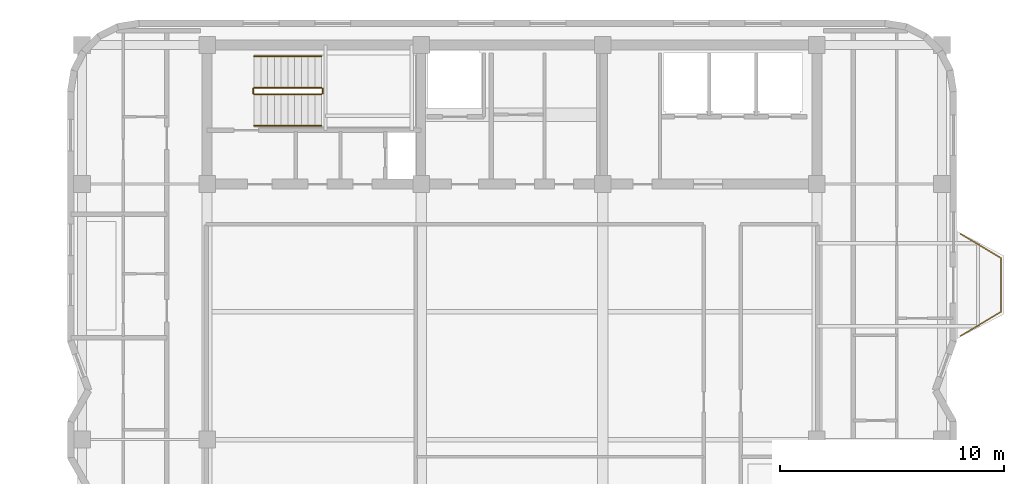
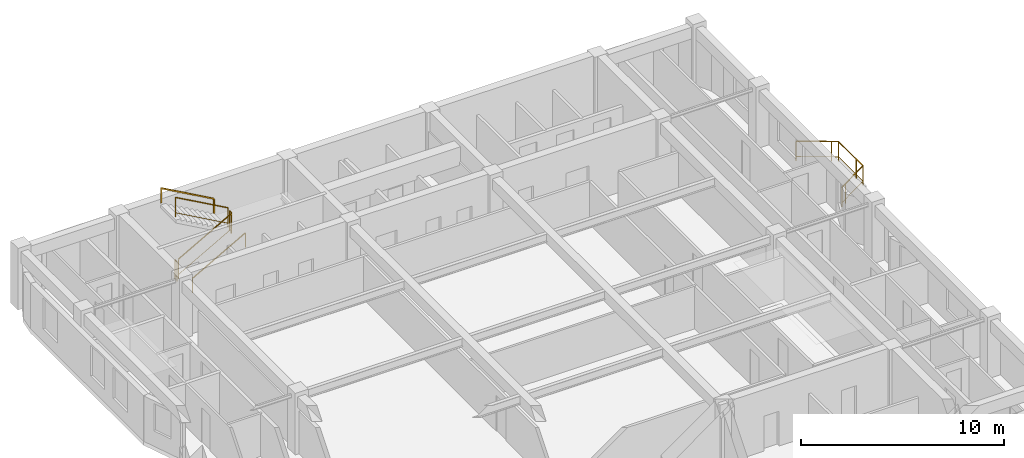
# One storey, part 9 of 9: 7 railings.
"""IFC4 building model written with IfcOpenShell, lengths in metres."""

from ifc_helpers import new_model, si_unit, direction, frame, origin, origin_2d, place, context, subcontext, project, spatial, rectangle, extrude, material, type_object, element, save


model = new_model("IFC4")

# Units and contexts
model_context = context("Model", 3, precision=1e-05, world=origin(), true_north=direction((0.0, 1.0)))
body_context = subcontext(model_context, "Body", "Model", "MODEL_VIEW")
ifc_project = project(units=[si_unit("LENGTHUNIT", "METRE"), si_unit("AREAUNIT", "SQUARE_METRE"), si_unit("VOLUMEUNIT", "CUBIC_METRE"), si_unit("PLANEANGLEUNIT", "RADIAN"), si_unit("MASSUNIT", "GRAM", prefix="KILO")], contexts=[model_context])

# Site, building, storey
site_placement = place(None, origin())
site = spatial("IfcSite", under=ifc_project, at=site_placement, CompositionType="ELEMENT")
building_placement = place(site_placement, origin())
building = spatial("IfcBuilding", under=site, at=building_placement, Name="Svetorya Sky Lyceum", CompositionType="ELEMENT")
storey_placement = place(building_placement, frame((0.0, 0.0, 271.300048828125)))
storey = spatial("IfcBuildingStorey", under=building, at=storey_placement, Name="L68", CompositionType="ELEMENT", Elevation=271.300048828125)

# Railings
ifc_material_1 = material(Name="Laminated safety glass and stainless AISI 316", Category="glass")
railing_type_1 = type_object("IfcRailingType", Name="RL-BAL-1200", PredefinedType="BALUSTRADE", material=ifc_material_1)
railing_1_placement = place(storey_placement, frame((59.2099609375, 37.3798828125, 0.0)))
element("IfcRailing", 1, at=railing_1_placement, inside=storey, type_object=railing_type_1, Name="L68 Balcony Balustrade BAL-E1", PredefinedType="BALUSTRADE", context=body_context, shape_type="SweptSolid", body=[
    extrude(rectangle(XDim=0.048095703125, YDim=0.048095703125, at=origin_2d()), frame((0.0, 0.0, 1.17578125), z_axis=(0.85753397263, -0.514427337711, 0.0), x_axis=(0.514427337711, 0.85753397263, 0.0)), (0.0, 0.0, 1.0), 2.09912109375),
    extrude(rectangle(XDim=0.02392578125, YDim=0.02392578125, at=origin_2d()), frame((0.0, 0.0, 0.25), z_axis=(0.85753397263, -0.514427337711, 0.0), x_axis=(0.514427337711, 0.85753397263, 0.0)), (0.0, 0.0, 1.0), 2.09912109375),
    extrude(rectangle(XDim=0.048095703125, YDim=0.048095703125, at=origin_2d()), frame((1.800048828125, -1.079833984375, 1.17578125), z_axis=(0.0, -1.0, 0.0), x_axis=(1.0, 0.0, 0.0)), (0.0, 0.0, 1.0), 2.400146484375),
    extrude(rectangle(XDim=0.02392578125, YDim=0.02392578125, at=origin_2d()), frame((1.800048828125, -1.079833984375, 0.25), z_axis=(0.0, -1.0, 0.0), x_axis=(1.0, 0.0, 0.0)), (0.0, 0.0, 1.0), 2.400146484375),
    extrude(rectangle(XDim=0.048095703125, YDim=0.048095703125, at=origin_2d()), frame((1.800048828125, -3.47998046875, 1.17578125), z_axis=(-0.85753397263, -0.514427337711, 0.0), x_axis=(0.514427337711, -0.85753397263, 0.0)), (0.0, 0.0, 1.0), 2.09912109375),
    extrude(rectangle(XDim=0.02392578125, YDim=0.02392578125, at=origin_2d()), frame((1.800048828125, -3.47998046875, 0.25), z_axis=(-0.85753397263, -0.514427337711, 0.0), x_axis=(0.514427337711, -0.85753397263, 0.0)), (0.0, 0.0, 1.0), 2.09912109375),
    extrude(rectangle(XDim=0.0419921875, YDim=0.0419921875, at=origin_2d()), origin(), (0.0, 0.0, 1.0), 1.15185546875),
    extrude(rectangle(XDim=0.0419921875, YDim=0.0419921875, at=origin_2d()), frame((1.500732421875, -0.900146484375, 0.0)), (0.0, 0.0, 1.0), 1.15185546875),
    extrude(rectangle(XDim=0.0419921875, YDim=0.0419921875, at=origin_2d()), frame((1.800048828125, -1.079833984375, 0.0)), (0.0, 0.0, 1.0), 1.15185546875),
    extrude(rectangle(XDim=0.0419921875, YDim=0.0419921875, at=origin_2d()), frame((1.800048828125, -2.829833984375, 0.0)), (0.0, 0.0, 1.0), 1.15185546875),
    extrude(rectangle(XDim=0.0419921875, YDim=0.0419921875, at=origin_2d()), frame((1.800048828125, -3.47998046875, 0.0)), (0.0, 0.0, 1.0), 1.15185546875),
    extrude(rectangle(XDim=0.0419921875, YDim=0.0419921875, at=origin_2d()), frame((0.29931640625, -4.380126953125, 0.0)), (0.0, 0.0, 1.0), 1.15185546875),
    extrude(rectangle(XDim=0.0419921875, YDim=0.0419921875, at=origin_2d()), frame((0.0, -4.559814453125, 0.0)), (0.0, 0.0, 1.0), 1.15185546875),
])
ifc_material_2 = material(Name="Painted galvanized stair well guard")
railing_type_2 = type_object("IfcRailingType", Name="RL-STR-GUARD-1200", PredefinedType="GUARDRAIL", material=ifc_material_2)
railing_2_placement = place(storey_placement, frame((27.699951171875, 43.60009765625, 0.168212890625)))
element("IfcRailing", 2, at=railing_2_placement, inside=storey, type_object=railing_type_2, Name="L68 ST-N stair guard 1", PredefinedType="GUARDRAIL", context=body_context, shape_type="SweptSolid", body=[
    extrude(rectangle(XDim=0.048095703125, YDim=0.048095703125, at=origin_2d()), frame((0.0, 0.0, 1.17578125), z_axis=(0.872302573547, 0.0, 0.488966481656), x_axis=(0.0, 1.0, 0.0)), (0.0, 0.0, 1.0), 3.439208984375),
    extrude(rectangle(XDim=0.02392578125, YDim=0.02392578125, at=origin_2d()), frame((0.0, 0.0, 0.25), z_axis=(0.872302573547, 0.0, 0.488966481656), x_axis=(0.0, 1.0, 0.0)), (0.0, 0.0, 1.0), 3.439208984375),
    extrude(rectangle(XDim=0.0419921875, YDim=0.0419921875, at=origin_2d()), origin(), (0.0, 0.0, 1.0), 1.15185546875),
    extrude(rectangle(XDim=0.0419921875, YDim=0.0419921875, at=origin_2d()), frame((3.0, 0.0, 1.681640625)), (0.0, 0.0, 1.0), 1.15185546875),
])
railing_3_placement = place(storey_placement, frame((30.75, 43.64990234375, 1.849853515625)))
element("IfcRailing", 3, at=railing_3_placement, inside=storey, type_object=railing_type_2, Name="L68 ST-N stair guard 2", PredefinedType="GUARDRAIL", context=body_context, shape_type="SweptSolid", body=[
    extrude(rectangle(XDim=0.048095703125, YDim=0.048095703125, at=origin_2d()), frame((0.0, 0.0, 1.17578125), z_axis=(0.0, 1.0, 0.0), x_axis=(-1.0, 0.0, 0.0)), (0.0, 0.0, 1.0), 0.2001953125),
    extrude(rectangle(XDim=0.02392578125, YDim=0.02392578125, at=origin_2d()), frame((0.0, 0.0, 0.25), z_axis=(0.0, 1.0, 0.0), x_axis=(-1.0, 0.0, 0.0)), (0.0, 0.0, 1.0), 0.2001953125),
    extrude(rectangle(XDim=0.0419921875, YDim=0.0419921875, at=origin_2d()), origin(), (0.0, 0.0, 1.0), 1.15185546875),
    extrude(rectangle(XDim=0.0419921875, YDim=0.0419921875, at=origin_2d()), frame((0.0, 0.2001953125, 0.0)), (0.0, 0.0, 1.0), 1.15185546875),
])
railing_4_placement = place(storey_placement, frame((30.699951171875, 43.89990234375, 2.01806640625)))
element("IfcRailing", 4, at=railing_4_placement, inside=storey, type_object=railing_type_2, Name="L68 ST-N stair guard 3", PredefinedType="GUARDRAIL", context=body_context, shape_type="SweptSolid", body=[
    extrude(rectangle(XDim=0.048095703125, YDim=0.048095703125, at=origin_2d()), frame((0.0, 0.0, 1.17578125), z_axis=(-0.872272294576, 0.0, 0.489020494575), x_axis=(0.0, -1.0, 0.0)), (0.0, 0.0, 1.0), 3.439208984375),
    extrude(rectangle(XDim=0.02392578125, YDim=0.02392578125, at=origin_2d()), frame((0.0, 0.0, 0.25), z_axis=(-0.872272294576, 0.0, 0.489020494575), x_axis=(0.0, -1.0, 0.0)), (0.0, 0.0, 1.0), 3.439208984375),
    extrude(rectangle(XDim=0.0419921875, YDim=0.0419921875, at=origin_2d()), origin(), (0.0, 0.0, 1.0), 1.15185546875),
    extrude(rectangle(XDim=0.0419921875, YDim=0.0419921875, at=origin_2d()), frame((-3.0, 0.0, 1.681884765625)), (0.0, 0.0, 1.0), 1.15185546875),
])
railing_5_placement = place(storey_placement, frame((27.64990234375, 43.64990234375, 0.0)))
element("IfcRailing", 5, at=railing_5_placement, inside=storey, type_object=railing_type_2, Name="L68 ST-N stair guard 4", PredefinedType="GUARDRAIL", context=body_context, shape_type="SweptSolid", body=[
    extrude(rectangle(XDim=0.048095703125, YDim=0.048095703125, at=origin_2d()), frame((0.0, 0.0, 1.17578125), z_axis=(0.0, 1.0, 0.0), x_axis=(-1.0, 0.0, 0.0)), (0.0, 0.0, 1.0), 0.2001953125),
    extrude(rectangle(XDim=0.02392578125, YDim=0.02392578125, at=origin_2d()), frame((0.0, 0.0, 0.25), z_axis=(0.0, 1.0, 0.0), x_axis=(-1.0, 0.0, 0.0)), (0.0, 0.0, 1.0), 0.2001953125),
    extrude(rectangle(XDim=0.0419921875, YDim=0.0419921875, at=origin_2d()), origin(), (0.0, 0.0, 1.0), 1.15185546875),
    extrude(rectangle(XDim=0.0419921875, YDim=0.0419921875, at=origin_2d()), frame((0.0, 0.2001953125, 0.0)), (0.0, 0.0, 1.0), 1.15185546875),
])
ifc_material_3 = material(Name="Brushed stainless AISI 304 stair handrail")
railing_type_3 = type_object("IfcRailingType", Name="RL-STR-HAND-920", PredefinedType="HANDRAIL", material=ifc_material_3)
railing_6_placement = place(storey_placement, frame((27.699951171875, 42.199951171875, 0.168212890625)))
element("IfcRailing", 6, at=railing_6_placement, inside=storey, type_object=railing_type_3, Name="L68 ST-N stair handrail 1", PredefinedType="HANDRAIL", context=body_context, shape_type="SweptSolid", body=[
    extrude(rectangle(XDim=0.048095703125, YDim=0.048095703125, at=origin_2d()), frame((0.0, 0.0, 0.8759765625), z_axis=(0.872302573547, 0.0, 0.488966481656), x_axis=(0.0, 1.0, 0.0)), (0.0, 0.0, 1.0), 3.439208984375),
    extrude(rectangle(XDim=0.0419921875, YDim=0.0419921875, at=origin_2d()), origin(), (0.0, 0.0, 1.0), 0.851806640625),
    extrude(rectangle(XDim=0.0419921875, YDim=0.0419921875, at=origin_2d()), frame((3.0, 0.0, 1.681640625)), (0.0, 0.0, 1.0), 0.851806640625),
])
railing_7_placement = place(storey_placement, frame((30.699951171875, 45.300048828125, 2.01806640625)))
element("IfcRailing", 7, at=railing_7_placement, inside=storey, type_object=railing_type_3, Name="L68 ST-N stair handrail 2", PredefinedType="HANDRAIL", context=body_context, shape_type="SweptSolid", body=[
    extrude(rectangle(XDim=0.048095703125, YDim=0.048095703125, at=origin_2d()), frame((0.0, 0.0, 0.8759765625), z_axis=(-0.872272294576, 0.0, 0.489020494575), x_axis=(0.0, -1.0, 0.0)), (0.0, 0.0, 1.0), 3.439208984375),
    extrude(rectangle(XDim=0.0419921875, YDim=0.0419921875, at=origin_2d()), origin(), (0.0, 0.0, 1.0), 0.851806640625),
    extrude(rectangle(XDim=0.0419921875, YDim=0.0419921875, at=origin_2d()), frame((-3.0, 0.0, 1.681884765625)), (0.0, 0.0, 1.0), 0.851806640625),
])

save(model, "model.ifc")
